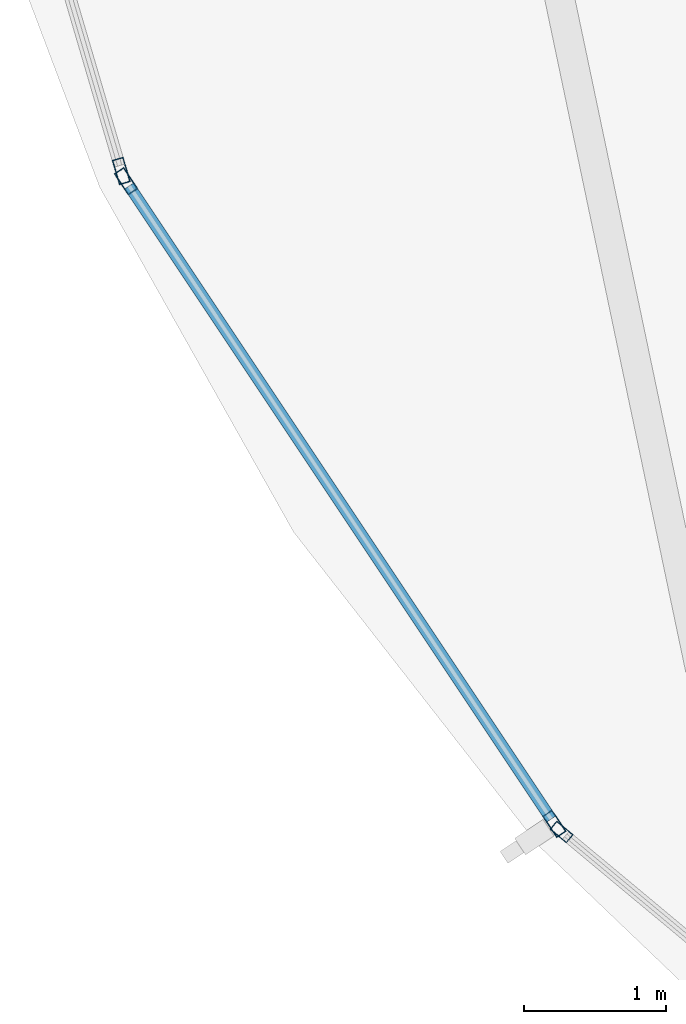
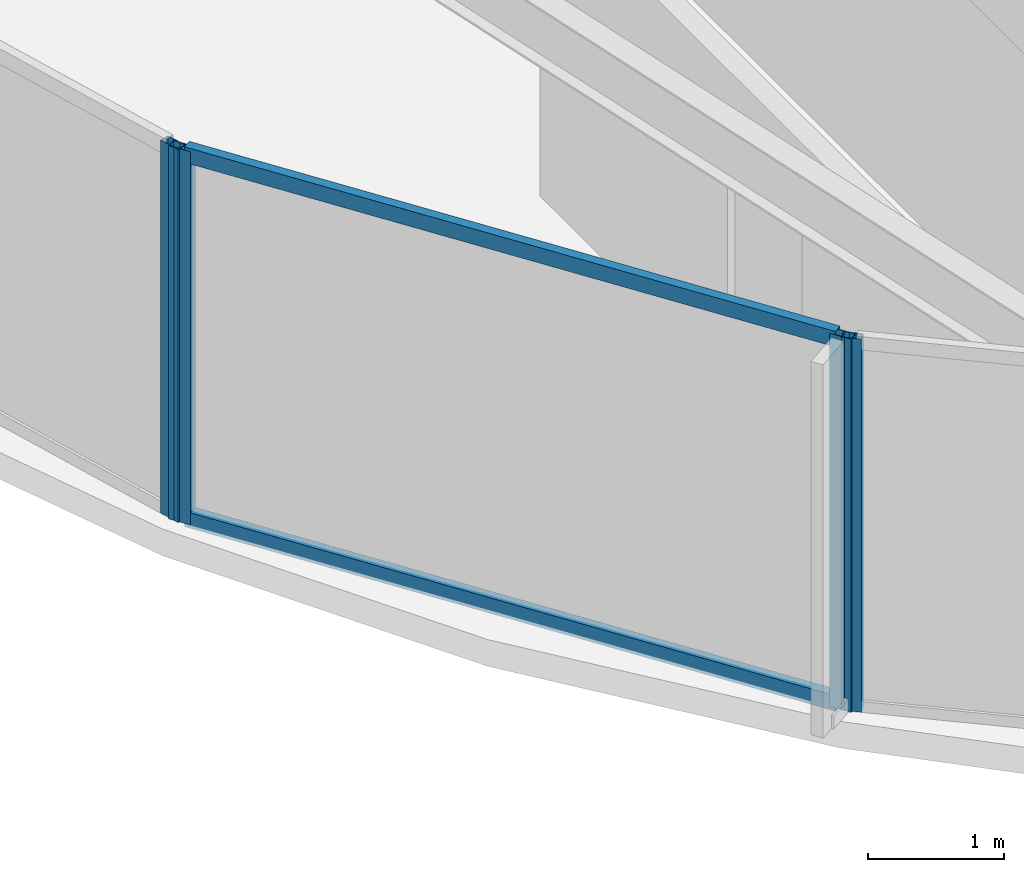
# One storey, part 3 of 28: 6 members, 3 elements without a shape of their own.
"""IFC4 building model written with IfcOpenShell, lengths in metres."""

from ifc_helpers import new_model, si_unit, direction, frame, origin, origin_2d, place, context, subcontext, project, spatial, hollow_rectangle, extrude, material, layer, layer_set, material_profile, profile_set, type_object, element, aggregate, save


model = new_model("IFC4")

# Units and contexts
model_context = context("Model", 3, precision=1e-05, world=origin(), true_north=direction((0.0, 1.0)))
body_context = subcontext(model_context, "Body", "Model", "MODEL_VIEW")
ifc_project = project(units=[si_unit("LENGTHUNIT", "METRE"), si_unit("AREAUNIT", "SQUARE_METRE"), si_unit("VOLUMEUNIT", "CUBIC_METRE"), si_unit("PLANEANGLEUNIT", "RADIAN"), si_unit("MASSUNIT", "GRAM", prefix="KILO")], contexts=[model_context])

# Site, building, storey
site_placement = place(None, origin())
site = spatial("IfcSite", under=ifc_project, at=site_placement, CompositionType="ELEMENT")
building_placement = place(site_placement, origin())
building = spatial("IfcBuilding", under=site, at=building_placement, Name="Kazevale Care Tower and Concert Hall", CompositionType="ELEMENT")
storey_placement = place(building_placement, frame((0.0, 0.0, 246.0)))
storey = spatial("IfcBuildingStorey", under=building, at=storey_placement, Name="L65", CompositionType="ELEMENT", Elevation=246.0)

# Curtain wall, members
ifc_material_1 = material(Name="Aluminium 6063-T6 and Low-E Glass", Category="aluminium")
ifc_layer_1 = layer(ifc_material_1, 0.179931640625)
ifc_layer_set_1 = layer_set([ifc_layer_1], Name="Aluminium 6063-T6 and Low-E Glass")
curtain_wall_type_1 = type_object("IfcCurtainWallType", Name="Waist & Upper Residential Curtain Wall CW-4", PredefinedType="NOTDEFINED", material=ifc_layer_set_1)
curtain_wall_1_placement = place(storey_placement, origin())
curtain_wall_1 = element("IfcCurtainWall", 1, at=curtain_wall_1_placement, inside=storey, type_object=curtain_wall_type_1, Name="cw:L65:f11", PredefinedType="NOTDEFINED")
ifc_material_2 = material(Name="Aluminium 6063-T6", Category="aluminium")
ifc_material_profile_1 = material_profile(ifc_material_2, hollow_rectangle(XDim=0.080078125, YDim=0.179931640625, WallThickness=0.0048828125, at=origin_2d()), Name="ALU80x180x5")
ifc_profile_set_1 = profile_set([ifc_material_profile_1], Name="Aluminium 6063-T6")
member_type_1 = type_object("IfcMemberType", Name="CW-4 Mullion ALU80x180x5", PredefinedType="MULLION", material=ifc_profile_set_1)
member_1_placement = place(storey_placement, frame((18.185791015625, 25.26318359375, 0.0), z_axis=(0.0, 0.0, 1.0), x_axis=(-0.832106058512, -0.554616540853, 0.0)))
member_1 = element("IfcMember", 2, at=member_1_placement, type_object=member_type_1, Name="CW-4 mullion 1", PredefinedType="MULLION", context=body_context, shape_type="SweptSolid", body=[
    extrude(hollow_rectangle(XDim=0.080078125, YDim=0.179931640625, WallThickness=0.0048828125, at=origin_2d()), origin(), (0.0, 0.0, 1.0), 3.360107421875),
])
member_2_placement = place(storey_placement, frame((15.170166015625, 29.78759765625, 0.0), z_axis=(0.0, 0.0, 1.0), x_axis=(-0.832106058512, -0.554616540853, 0.0)))
member_2 = element("IfcMember", 3, at=member_2_placement, type_object=member_type_1, Name="CW-4 mullion 2", PredefinedType="MULLION", context=body_context, shape_type="SweptSolid", body=[
    extrude(hollow_rectangle(XDim=0.080078125, YDim=0.179931640625, WallThickness=0.0048828125, at=origin_2d()), origin(), (0.0, 0.0, 1.0), 3.360107421875),
])

# Curtain wall, member
curtain_wall_2_placement = place(storey_placement, origin())
curtain_wall_2 = element("IfcCurtainWall", 4, at=curtain_wall_2_placement, inside=storey, type_object=curtain_wall_type_1, Name="cw:L65:f12", PredefinedType="NOTDEFINED")
member_3_placement = place(storey_placement, frame((15.13671875, 29.859375, 0.0), z_axis=(0.0, 0.0, 1.0), x_axis=(-0.959385539982, -0.282098184457, 0.0)))
member_3 = element("IfcMember", 5, at=member_3_placement, type_object=member_type_1, Name="CW-4 mullion 1", PredefinedType="MULLION", context=body_context, shape_type="SweptSolid", body=[
    extrude(hollow_rectangle(XDim=0.080078125, YDim=0.179931640625, WallThickness=0.0048828125, at=origin_2d()), origin(), (0.0, 0.0, 1.0), 3.360107421875),
])
aggregate(curtain_wall_2, [member_3])

# Member
ifc_material_profile_2 = material_profile(ifc_material_2, hollow_rectangle(XDim=0.080078125, YDim=0.139892578125, WallThickness=0.00390625, at=origin_2d()), Name="ALU80x140x4")
ifc_profile_set_2 = profile_set([ifc_material_profile_2], Name="Aluminium 6063-T6")
member_type_2 = type_object("IfcMemberType", Name="CW-4 Transom ALU80x140x4", PredefinedType="USERDEFINED", material=ifc_profile_set_2)
member_4_placement = place(storey_placement, frame((18.16357421875, 25.296630859375, 0.0400390625), z_axis=(-0.554616059735, 0.832106379187, 0.0), x_axis=(-0.832106379187, -0.554616059735, 0.0)))
member_4 = element("IfcMember", 6, at=member_4_placement, type_object=member_type_2, Name="CW-4 transom 1.1", ObjectType="TRANSOM", PredefinedType="USERDEFINED", context=body_context, shape_type="SweptSolid", body=[
    extrude(hollow_rectangle(XDim=0.080078125, YDim=0.139892578125, WallThickness=0.00390625, at=origin_2d()), origin(), (0.0, 0.0, 1.0), 5.357177734375),
])

member_5_placement = place(storey_placement, frame((18.16357421875, 25.296630859375, 3.320068359375), z_axis=(-0.554616059735, 0.832106379187, 0.0), x_axis=(-0.832106379187, -0.554616059735, 0.0)))
member_5 = element("IfcMember", 7, at=member_5_placement, type_object=member_type_2, Name="CW-4 transom 1.2", ObjectType="TRANSOM", PredefinedType="USERDEFINED", context=body_context, shape_type="SweptSolid", body=[
    extrude(hollow_rectangle(XDim=0.080078125, YDim=0.139892578125, WallThickness=0.00390625, at=origin_2d()), origin(), (0.0, 0.0, 1.0), 5.357177734375),
])

aggregate(curtain_wall_1, [member_1, member_2, member_4, member_5])

# Curtain wall, member
ifc_layer_2 = layer(ifc_material_1, 0.179931640625)
ifc_layer_set_2 = layer_set([ifc_layer_2], Name="Aluminium 6063-T6 and Low-E Glass")
curtain_wall_type_2 = type_object("IfcCurtainWallType", Name="Sheltered Concave Balcony Curtain Wall CW-5", PredefinedType="NOTDEFINED", material=ifc_layer_set_2)
curtain_wall_3_placement = place(storey_placement, origin())
curtain_wall_3 = element("IfcCurtainWall", 8, at=curtain_wall_3_placement, inside=storey, type_object=curtain_wall_type_2, Name="cw:L65:f10", PredefinedType="NOTDEFINED")
ifc_material_profile_3 = material_profile(ifc_material_2, hollow_rectangle(XDim=0.074951171875, YDim=0.14990234375, WallThickness=0.00390625, at=origin_2d()), Name="ALU75x150x4")
ifc_profile_set_3 = profile_set([ifc_material_profile_3], Name="Aluminium 6063-T6")
member_type_3 = type_object("IfcMemberType", Name="CW-5 Mullion ALU75x150x4", PredefinedType="MULLION", material=ifc_profile_set_3)
member_6_placement = place(storey_placement, frame((18.23681640625, 25.2060546875, 0.0), z_axis=(0.0, 0.0, 1.0), x_axis=(-0.639961217204, -0.768407210062, 0.0)))
member_6 = element("IfcMember", 9, at=member_6_placement, type_object=member_type_3, Name="CW-5 mullion 2", PredefinedType="MULLION", context=body_context, shape_type="SweptSolid", body=[
    extrude(hollow_rectangle(XDim=0.074951171875, YDim=0.14990234375, WallThickness=0.00390625, at=origin_2d()), origin(), (0.0, 0.0, 1.0), 3.360107421875),
])
aggregate(curtain_wall_3, [member_6])

save(model, "model.ifc")
